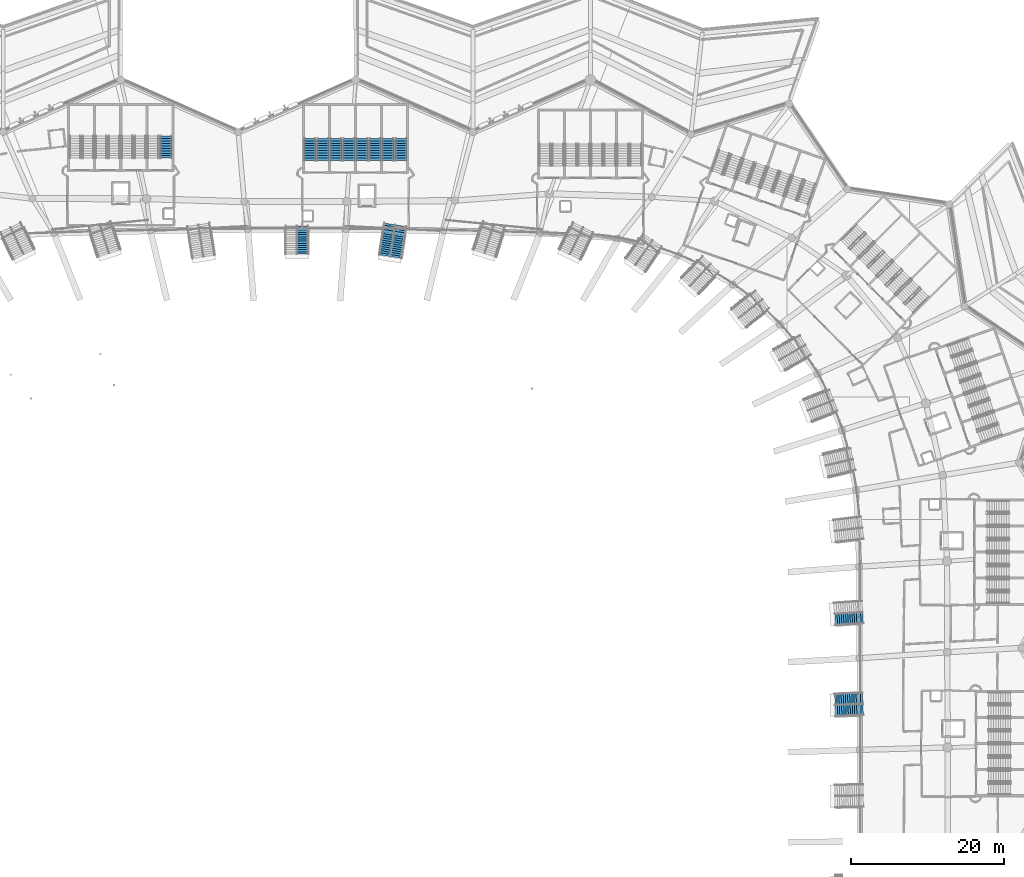
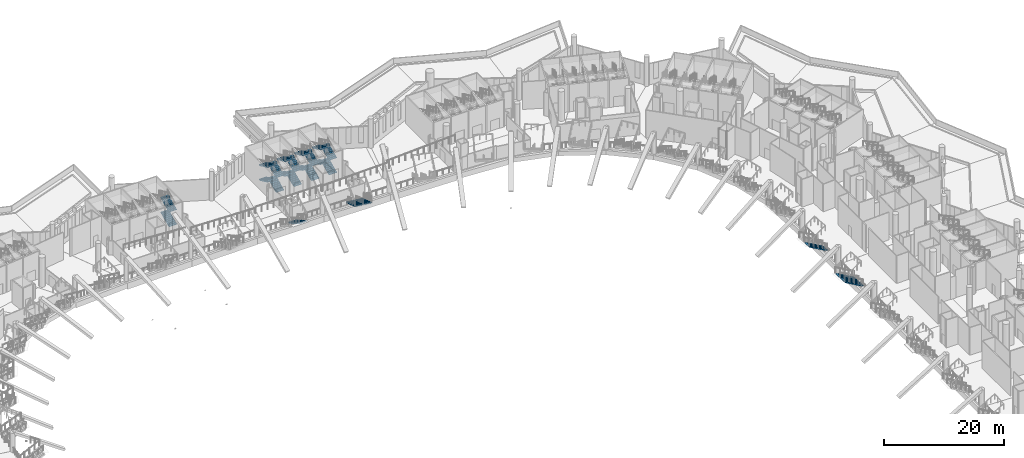
# One storey, part 97 of 173: 24 stair flights, 9 elements without a shape of their own.
"""IFC4 building model written with IfcOpenShell, lengths in metres."""

from ifc_helpers import new_model, si_unit, direction, frame, origin, place, context, subcontext, project, spatial, polyline, outline, extrude, material, type_object, element, aggregate, save


model = new_model("IFC4")

# Units and contexts
model_context = context("Model", 3, precision=1e-05, world=origin(), true_north=direction((0.0, 1.0)))
body_context = subcontext(model_context, "Body", "Model", "MODEL_VIEW")
ifc_project = project(units=[si_unit("LENGTHUNIT", "METRE"), si_unit("AREAUNIT", "SQUARE_METRE"), si_unit("VOLUMEUNIT", "CUBIC_METRE"), si_unit("PLANEANGLEUNIT", "RADIAN"), si_unit("MASSUNIT", "GRAM", prefix="KILO")], contexts=[model_context])

# Site, building, storey
site_placement = place(None, origin())
site = spatial("IfcSite", under=ifc_project, at=site_placement, CompositionType="ELEMENT")
building_placement = place(site_placement, origin())
building = spatial("IfcBuilding", under=site, at=building_placement, Name="Meseta Stadium", CompositionType="ELEMENT")
storey_placement = place(building_placement, frame((0.0, 0.0, 18.0)))
storey = spatial("IfcBuildingStorey", under=building, at=storey_placement, Name="L03", CompositionType="ELEMENT", Elevation=18.0)

# Stair, stair flights
ifc_material_1 = material(Name="Concrete C40/50", Category="concrete")
stair_type_1 = type_object("IfcStairType", Name="Exit stair 4 flights 150 mm risers", PredefinedType="HALF_TURN_STAIR", material=ifc_material_1)
stair_1_placement = place(storey_placement, origin())
stair_1 = element("IfcStair", 1, at=stair_1_placement, inside=storey, type_object=stair_type_1, Name="ST37 L03", PredefinedType="HALF_TURN_STAIR")
ifc_material_2 = material(Name="Concrete C40/50", Category="concrete")
stair_flight_type_1 = type_object("IfcStairFlightType", Name="Exit stair flight 150 mm risers, 4 per storey", PredefinedType="STRAIGHT", material=ifc_material_2)
stair_flight_1_placement = place(storey_placement, frame((13.61669921875, 94.89990234375, 0.0), z_axis=(0.0, 0.0, 1.0), x_axis=(0.0, 1.0, 0.0)))
stair_flight_1 = element("IfcStairFlight", 2, at=stair_flight_1_placement, type_object=stair_flight_type_1, Name="ST37 L03 flight 1", NumberOfRisers=10, NumberOfTreads=9, PredefinedType="STRAIGHT", RiserHeight=0.15, TreadLength=0.32, context=body_context, shape_type="SweptSolid", body=[
    extrude(outline(polyline([(0.0, 0.0), (0.0, 0.14990234375), (0.320068359375, 0.14990234375), (0.320068359375, 0.300048828125), (0.639892578125, 0.300048828125), (0.639892578125, 0.449951171875), (0.9599609375, 0.449951171875), (0.9599609375, 0.60009765625), (1.280029296875, 0.60009765625), (1.280029296875, 0.75), (1.60009765625, 0.75), (1.60009765625, 0.89990234375), (1.919921875, 0.89990234375), (1.919921875, 1.050048828125), (2.239990234375, 1.050048828125), (2.239990234375, 1.199951171875), (2.56005859375, 1.199951171875), (2.56005859375, 1.35009765625), (2.8798828125, 1.35009765625), (2.8798828125, 1.184326171875), (0.353271484375, 0.0), (0.0, 0.0)])), frame((0.0, 0.75, 0.0), z_axis=(0.0, -1.0, 0.0), x_axis=(1.0, 0.0, 0.0)), (0.0, 0.0, 1.0), 1.5),
])
stair_flight_2_placement = place(storey_placement, frame((11.916748046875, 97.780029296875, 1.5), z_axis=(0.0, 0.0, 1.0), x_axis=(0.0, -1.0, 0.0)))
stair_flight_2 = element("IfcStairFlight", 3, at=stair_flight_2_placement, type_object=stair_flight_type_1, Name="ST37 L03 flight 2", NumberOfRisers=10, NumberOfTreads=9, PredefinedType="STRAIGHT", RiserHeight=0.15, TreadLength=0.32, context=body_context, shape_type="SweptSolid", body=[
    extrude(outline(polyline([(0.0, 0.0), (0.0, 0.14990234375), (0.320068359375, 0.14990234375), (0.320068359375, 0.300048828125), (0.639892578125, 0.300048828125), (0.639892578125, 0.449951171875), (0.9599609375, 0.449951171875), (0.9599609375, 0.60009765625), (1.280029296875, 0.60009765625), (1.280029296875, 0.75), (1.60009765625, 0.75), (1.60009765625, 0.89990234375), (1.919921875, 0.89990234375), (1.919921875, 1.050048828125), (2.239990234375, 1.050048828125), (2.239990234375, 1.199951171875), (2.56005859375, 1.199951171875), (2.56005859375, 1.35009765625), (2.8798828125, 1.35009765625), (2.8798828125, 1.184326171875), (0.353271484375, 0.0), (0.0, 0.0)])), frame((0.0, 0.75, 0.0), z_axis=(0.0, -1.0, 0.0), x_axis=(1.0, 0.0, 0.0)), (0.0, 0.0, 1.0), 1.5),
])
stair_flight_3_placement = place(storey_placement, frame((13.61669921875, 94.89990234375, 3.0), z_axis=(0.0, 0.0, 1.0), x_axis=(0.0, 1.0, 0.0)))
stair_flight_3 = element("IfcStairFlight", 4, at=stair_flight_3_placement, type_object=stair_flight_type_1, Name="ST37 L03 flight 3", NumberOfRisers=10, NumberOfTreads=9, PredefinedType="STRAIGHT", RiserHeight=0.15, TreadLength=0.32, context=body_context, shape_type="SweptSolid", body=[
    extrude(outline(polyline([(0.0, 0.0), (0.0, 0.14990234375), (0.320068359375, 0.14990234375), (0.320068359375, 0.300048828125), (0.639892578125, 0.300048828125), (0.639892578125, 0.449951171875), (0.9599609375, 0.449951171875), (0.9599609375, 0.60009765625), (1.280029296875, 0.60009765625), (1.280029296875, 0.75), (1.60009765625, 0.75), (1.60009765625, 0.89990234375), (1.919921875, 0.89990234375), (1.919921875, 1.050048828125), (2.239990234375, 1.050048828125), (2.239990234375, 1.199951171875), (2.56005859375, 1.199951171875), (2.56005859375, 1.35009765625), (2.8798828125, 1.35009765625), (2.8798828125, 1.184326171875), (0.353271484375, 0.0), (0.0, 0.0)])), frame((0.0, 0.75, 0.0), z_axis=(0.0, -1.0, 0.0), x_axis=(1.0, 0.0, 0.0)), (0.0, 0.0, 1.0), 1.5),
])
stair_flight_4_placement = place(storey_placement, frame((11.916748046875, 97.780029296875, 4.5), z_axis=(0.0, 0.0, 1.0), x_axis=(0.0, -1.0, 0.0)))
stair_flight_4 = element("IfcStairFlight", 5, at=stair_flight_4_placement, type_object=stair_flight_type_1, Name="ST37 L03 flight 4", NumberOfRisers=10, NumberOfTreads=9, PredefinedType="STRAIGHT", RiserHeight=0.15, TreadLength=0.32, context=body_context, shape_type="SweptSolid", body=[
    extrude(outline(polyline([(0.0, 0.0), (0.0, 0.14990234375), (0.320068359375, 0.14990234375), (0.320068359375, 0.300048828125), (0.639892578125, 0.300048828125), (0.639892578125, 0.449951171875), (0.9599609375, 0.449951171875), (0.9599609375, 0.60009765625), (1.280029296875, 0.60009765625), (1.280029296875, 0.75), (1.60009765625, 0.75), (1.60009765625, 0.89990234375), (1.919921875, 0.89990234375), (1.919921875, 1.050048828125), (2.239990234375, 1.050048828125), (2.239990234375, 1.199951171875), (2.56005859375, 1.199951171875), (2.56005859375, 1.35009765625), (2.8798828125, 1.35009765625), (2.8798828125, 1.184326171875), (0.353271484375, 0.0), (0.0, 0.0)])), frame((0.0, 0.75, 0.0), z_axis=(0.0, -1.0, 0.0), x_axis=(1.0, 0.0, 0.0)), (0.0, 0.0, 1.0), 1.5),
])
aggregate(stair_1, [stair_flight_1, stair_flight_2, stair_flight_3, stair_flight_4])

stair_2_placement = place(storey_placement, origin())
stair_2 = element("IfcStair", 6, at=stair_2_placement, inside=storey, type_object=stair_type_1, Name="ST38 L03", PredefinedType="HALF_TURN_STAIR")
stair_flight_5_placement = place(storey_placement, frame((10.216552734375, 94.89990234375, 0.0), z_axis=(0.0, 0.0, 1.0), x_axis=(0.0, 1.0, 0.0)))
stair_flight_5 = element("IfcStairFlight", 7, at=stair_flight_5_placement, type_object=stair_flight_type_1, Name="ST38 L03 flight 1", NumberOfRisers=10, NumberOfTreads=9, PredefinedType="STRAIGHT", RiserHeight=0.15, TreadLength=0.32, context=body_context, shape_type="SweptSolid", body=[
    extrude(outline(polyline([(0.0, 0.0), (0.0, 0.14990234375), (0.320068359375, 0.14990234375), (0.320068359375, 0.300048828125), (0.639892578125, 0.300048828125), (0.639892578125, 0.449951171875), (0.9599609375, 0.449951171875), (0.9599609375, 0.60009765625), (1.280029296875, 0.60009765625), (1.280029296875, 0.75), (1.60009765625, 0.75), (1.60009765625, 0.89990234375), (1.919921875, 0.89990234375), (1.919921875, 1.050048828125), (2.239990234375, 1.050048828125), (2.239990234375, 1.199951171875), (2.56005859375, 1.199951171875), (2.56005859375, 1.35009765625), (2.8798828125, 1.35009765625), (2.8798828125, 1.184326171875), (0.353271484375, 0.0), (0.0, 0.0)])), frame((0.0, 0.75, 0.0), z_axis=(0.0, -1.0, 0.0), x_axis=(1.0, 0.0, 0.0)), (0.0, 0.0, 1.0), 1.5),
])
stair_flight_6_placement = place(storey_placement, frame((8.5166015625, 97.780029296875, 1.5), z_axis=(0.0, 0.0, 1.0), x_axis=(0.0, -1.0, 0.0)))
stair_flight_6 = element("IfcStairFlight", 8, at=stair_flight_6_placement, type_object=stair_flight_type_1, Name="ST38 L03 flight 2", NumberOfRisers=10, NumberOfTreads=9, PredefinedType="STRAIGHT", RiserHeight=0.15, TreadLength=0.32, context=body_context, shape_type="SweptSolid", body=[
    extrude(outline(polyline([(0.0, 0.0), (0.0, 0.14990234375), (0.320068359375, 0.14990234375), (0.320068359375, 0.300048828125), (0.639892578125, 0.300048828125), (0.639892578125, 0.449951171875), (0.9599609375, 0.449951171875), (0.9599609375, 0.60009765625), (1.280029296875, 0.60009765625), (1.280029296875, 0.75), (1.60009765625, 0.75), (1.60009765625, 0.89990234375), (1.919921875, 0.89990234375), (1.919921875, 1.050048828125), (2.239990234375, 1.050048828125), (2.239990234375, 1.199951171875), (2.56005859375, 1.199951171875), (2.56005859375, 1.35009765625), (2.8798828125, 1.35009765625), (2.8798828125, 1.184326171875), (0.353271484375, 0.0), (0.0, 0.0)])), frame((0.0, 0.75, 0.0), z_axis=(0.0, -1.0, 0.0), x_axis=(1.0, 0.0, 0.0)), (0.0, 0.0, 1.0), 1.5),
])
stair_flight_7_placement = place(storey_placement, frame((10.216552734375, 94.89990234375, 3.0), z_axis=(0.0, 0.0, 1.0), x_axis=(0.0, 1.0, 0.0)))
stair_flight_7 = element("IfcStairFlight", 9, at=stair_flight_7_placement, type_object=stair_flight_type_1, Name="ST38 L03 flight 3", NumberOfRisers=10, NumberOfTreads=9, PredefinedType="STRAIGHT", RiserHeight=0.15, TreadLength=0.32, context=body_context, shape_type="SweptSolid", body=[
    extrude(outline(polyline([(0.0, 0.0), (0.0, 0.14990234375), (0.320068359375, 0.14990234375), (0.320068359375, 0.300048828125), (0.639892578125, 0.300048828125), (0.639892578125, 0.449951171875), (0.9599609375, 0.449951171875), (0.9599609375, 0.60009765625), (1.280029296875, 0.60009765625), (1.280029296875, 0.75), (1.60009765625, 0.75), (1.60009765625, 0.89990234375), (1.919921875, 0.89990234375), (1.919921875, 1.050048828125), (2.239990234375, 1.050048828125), (2.239990234375, 1.199951171875), (2.56005859375, 1.199951171875), (2.56005859375, 1.35009765625), (2.8798828125, 1.35009765625), (2.8798828125, 1.184326171875), (0.353271484375, 0.0), (0.0, 0.0)])), frame((0.0, 0.75, 0.0), z_axis=(0.0, -1.0, 0.0), x_axis=(1.0, 0.0, 0.0)), (0.0, 0.0, 1.0), 1.5),
])
stair_flight_8_placement = place(storey_placement, frame((8.5166015625, 97.780029296875, 4.5), z_axis=(0.0, 0.0, 1.0), x_axis=(0.0, -1.0, 0.0)))
stair_flight_8 = element("IfcStairFlight", 10, at=stair_flight_8_placement, type_object=stair_flight_type_1, Name="ST38 L03 flight 4", NumberOfRisers=10, NumberOfTreads=9, PredefinedType="STRAIGHT", RiserHeight=0.15, TreadLength=0.32, context=body_context, shape_type="SweptSolid", body=[
    extrude(outline(polyline([(0.0, 0.0), (0.0, 0.14990234375), (0.320068359375, 0.14990234375), (0.320068359375, 0.300048828125), (0.639892578125, 0.300048828125), (0.639892578125, 0.449951171875), (0.9599609375, 0.449951171875), (0.9599609375, 0.60009765625), (1.280029296875, 0.60009765625), (1.280029296875, 0.75), (1.60009765625, 0.75), (1.60009765625, 0.89990234375), (1.919921875, 0.89990234375), (1.919921875, 1.050048828125), (2.239990234375, 1.050048828125), (2.239990234375, 1.199951171875), (2.56005859375, 1.199951171875), (2.56005859375, 1.35009765625), (2.8798828125, 1.35009765625), (2.8798828125, 1.184326171875), (0.353271484375, 0.0), (0.0, 0.0)])), frame((0.0, 0.75, 0.0), z_axis=(0.0, -1.0, 0.0), x_axis=(1.0, 0.0, 0.0)), (0.0, 0.0, 1.0), 1.5),
])
aggregate(stair_2, [stair_flight_5, stair_flight_6, stair_flight_7, stair_flight_8])

stair_3_placement = place(storey_placement, origin())
stair_3 = element("IfcStair", 11, at=stair_3_placement, inside=storey, type_object=stair_type_1, Name="ST39 L03", PredefinedType="HALF_TURN_STAIR")
stair_flight_9_placement = place(storey_placement, frame((6.816650390625, 94.89990234375, 0.0), z_axis=(0.0, 0.0, 1.0), x_axis=(0.0, 1.0, 0.0)))
stair_flight_9 = element("IfcStairFlight", 12, at=stair_flight_9_placement, type_object=stair_flight_type_1, Name="ST39 L03 flight 1", NumberOfRisers=10, NumberOfTreads=9, PredefinedType="STRAIGHT", RiserHeight=0.15, TreadLength=0.32, context=body_context, shape_type="SweptSolid", body=[
    extrude(outline(polyline([(0.0, 0.0), (0.0, 0.14990234375), (0.320068359375, 0.14990234375), (0.320068359375, 0.300048828125), (0.639892578125, 0.300048828125), (0.639892578125, 0.449951171875), (0.9599609375, 0.449951171875), (0.9599609375, 0.60009765625), (1.280029296875, 0.60009765625), (1.280029296875, 0.75), (1.60009765625, 0.75), (1.60009765625, 0.89990234375), (1.919921875, 0.89990234375), (1.919921875, 1.050048828125), (2.239990234375, 1.050048828125), (2.239990234375, 1.199951171875), (2.56005859375, 1.199951171875), (2.56005859375, 1.35009765625), (2.8798828125, 1.35009765625), (2.8798828125, 1.184326171875), (0.353271484375, 0.0), (0.0, 0.0)])), frame((0.0, 0.75, 0.0), z_axis=(0.0, -1.0, 0.0), x_axis=(1.0, 0.0, 0.0)), (0.0, 0.0, 1.0), 1.5),
])
stair_flight_10_placement = place(storey_placement, frame((5.11669921875, 97.780029296875, 1.5), z_axis=(0.0, 0.0, 1.0), x_axis=(0.0, -1.0, 0.0)))
stair_flight_10 = element("IfcStairFlight", 13, at=stair_flight_10_placement, type_object=stair_flight_type_1, Name="ST39 L03 flight 2", NumberOfRisers=10, NumberOfTreads=9, PredefinedType="STRAIGHT", RiserHeight=0.15, TreadLength=0.32, context=body_context, shape_type="SweptSolid", body=[
    extrude(outline(polyline([(0.0, 0.0), (0.0, 0.14990234375), (0.320068359375, 0.14990234375), (0.320068359375, 0.300048828125), (0.639892578125, 0.300048828125), (0.639892578125, 0.449951171875), (0.9599609375, 0.449951171875), (0.9599609375, 0.60009765625), (1.280029296875, 0.60009765625), (1.280029296875, 0.75), (1.60009765625, 0.75), (1.60009765625, 0.89990234375), (1.919921875, 0.89990234375), (1.919921875, 1.050048828125), (2.239990234375, 1.050048828125), (2.239990234375, 1.199951171875), (2.56005859375, 1.199951171875), (2.56005859375, 1.35009765625), (2.8798828125, 1.35009765625), (2.8798828125, 1.184326171875), (0.353271484375, 0.0), (0.0, 0.0)])), frame((0.0, 0.75, 0.0), z_axis=(0.0, -1.0, 0.0), x_axis=(1.0, 0.0, 0.0)), (0.0, 0.0, 1.0), 1.5),
])
stair_flight_11_placement = place(storey_placement, frame((6.816650390625, 94.89990234375, 3.0), z_axis=(0.0, 0.0, 1.0), x_axis=(0.0, 1.0, 0.0)))
stair_flight_11 = element("IfcStairFlight", 14, at=stair_flight_11_placement, type_object=stair_flight_type_1, Name="ST39 L03 flight 3", NumberOfRisers=10, NumberOfTreads=9, PredefinedType="STRAIGHT", RiserHeight=0.15, TreadLength=0.32, context=body_context, shape_type="SweptSolid", body=[
    extrude(outline(polyline([(0.0, 0.0), (0.0, 0.14990234375), (0.320068359375, 0.14990234375), (0.320068359375, 0.300048828125), (0.639892578125, 0.300048828125), (0.639892578125, 0.449951171875), (0.9599609375, 0.449951171875), (0.9599609375, 0.60009765625), (1.280029296875, 0.60009765625), (1.280029296875, 0.75), (1.60009765625, 0.75), (1.60009765625, 0.89990234375), (1.919921875, 0.89990234375), (1.919921875, 1.050048828125), (2.239990234375, 1.050048828125), (2.239990234375, 1.199951171875), (2.56005859375, 1.199951171875), (2.56005859375, 1.35009765625), (2.8798828125, 1.35009765625), (2.8798828125, 1.184326171875), (0.353271484375, 0.0), (0.0, 0.0)])), frame((0.0, 0.75, 0.0), z_axis=(0.0, -1.0, 0.0), x_axis=(1.0, 0.0, 0.0)), (0.0, 0.0, 1.0), 1.5),
])
stair_flight_12_placement = place(storey_placement, frame((5.11669921875, 97.780029296875, 4.5), z_axis=(0.0, 0.0, 1.0), x_axis=(0.0, -1.0, 0.0)))
stair_flight_12 = element("IfcStairFlight", 15, at=stair_flight_12_placement, type_object=stair_flight_type_1, Name="ST39 L03 flight 4", NumberOfRisers=10, NumberOfTreads=9, PredefinedType="STRAIGHT", RiserHeight=0.15, TreadLength=0.32, context=body_context, shape_type="SweptSolid", body=[
    extrude(outline(polyline([(0.0, 0.0), (0.0, 0.14990234375), (0.320068359375, 0.14990234375), (0.320068359375, 0.300048828125), (0.639892578125, 0.300048828125), (0.639892578125, 0.449951171875), (0.9599609375, 0.449951171875), (0.9599609375, 0.60009765625), (1.280029296875, 0.60009765625), (1.280029296875, 0.75), (1.60009765625, 0.75), (1.60009765625, 0.89990234375), (1.919921875, 0.89990234375), (1.919921875, 1.050048828125), (2.239990234375, 1.050048828125), (2.239990234375, 1.199951171875), (2.56005859375, 1.199951171875), (2.56005859375, 1.35009765625), (2.8798828125, 1.35009765625), (2.8798828125, 1.184326171875), (0.353271484375, 0.0), (0.0, 0.0)])), frame((0.0, 0.75, 0.0), z_axis=(0.0, -1.0, 0.0), x_axis=(1.0, 0.0, 0.0)), (0.0, 0.0, 1.0), 1.5),
])
aggregate(stair_3, [stair_flight_9, stair_flight_10, stair_flight_11, stair_flight_12])

stair_4_placement = place(storey_placement, origin())
stair_4 = element("IfcStair", 16, at=stair_4_placement, inside=storey, type_object=stair_type_1, Name="ST40 L03", PredefinedType="HALF_TURN_STAIR")
stair_flight_13_placement = place(storey_placement, frame((3.416748046875, 94.89990234375, 0.0), z_axis=(0.0, 0.0, 1.0), x_axis=(0.0, 1.0, 0.0)))
stair_flight_13 = element("IfcStairFlight", 17, at=stair_flight_13_placement, type_object=stair_flight_type_1, Name="ST40 L03 flight 1", NumberOfRisers=10, NumberOfTreads=9, PredefinedType="STRAIGHT", RiserHeight=0.15, TreadLength=0.32, context=body_context, shape_type="SweptSolid", body=[
    extrude(outline(polyline([(0.0, 0.0), (0.0, 0.14990234375), (0.320068359375, 0.14990234375), (0.320068359375, 0.300048828125), (0.639892578125, 0.300048828125), (0.639892578125, 0.449951171875), (0.9599609375, 0.449951171875), (0.9599609375, 0.60009765625), (1.280029296875, 0.60009765625), (1.280029296875, 0.75), (1.60009765625, 0.75), (1.60009765625, 0.89990234375), (1.919921875, 0.89990234375), (1.919921875, 1.050048828125), (2.239990234375, 1.050048828125), (2.239990234375, 1.199951171875), (2.56005859375, 1.199951171875), (2.56005859375, 1.35009765625), (2.8798828125, 1.35009765625), (2.8798828125, 1.184326171875), (0.353271484375, 0.0), (0.0, 0.0)])), frame((0.0, 0.75, 0.0), z_axis=(0.0, -1.0, 0.0), x_axis=(1.0, 0.0, 0.0)), (0.0, 0.0, 1.0), 1.5),
])
stair_flight_14_placement = place(storey_placement, frame((1.716552734375, 97.780029296875, 1.5), z_axis=(0.0, 0.0, 1.0), x_axis=(0.0, -1.0, 0.0)))
stair_flight_14 = element("IfcStairFlight", 18, at=stair_flight_14_placement, type_object=stair_flight_type_1, Name="ST40 L03 flight 2", NumberOfRisers=10, NumberOfTreads=9, PredefinedType="STRAIGHT", RiserHeight=0.15, TreadLength=0.32, context=body_context, shape_type="SweptSolid", body=[
    extrude(outline(polyline([(0.0, 0.0), (0.0, 0.14990234375), (0.320068359375, 0.14990234375), (0.320068359375, 0.300048828125), (0.639892578125, 0.300048828125), (0.639892578125, 0.449951171875), (0.9599609375, 0.449951171875), (0.9599609375, 0.60009765625), (1.280029296875, 0.60009765625), (1.280029296875, 0.75), (1.60009765625, 0.75), (1.60009765625, 0.89990234375), (1.919921875, 0.89990234375), (1.919921875, 1.050048828125), (2.239990234375, 1.050048828125), (2.239990234375, 1.199951171875), (2.56005859375, 1.199951171875), (2.56005859375, 1.35009765625), (2.8798828125, 1.35009765625), (2.8798828125, 1.184326171875), (0.353271484375, 0.0), (0.0, 0.0)])), frame((0.0, 0.75, 0.0), z_axis=(0.0, -1.0, 0.0), x_axis=(1.0, 0.0, 0.0)), (0.0, 0.0, 1.0), 1.5),
])
stair_flight_15_placement = place(storey_placement, frame((3.416748046875, 94.89990234375, 3.0), z_axis=(0.0, 0.0, 1.0), x_axis=(0.0, 1.0, 0.0)))
stair_flight_15 = element("IfcStairFlight", 19, at=stair_flight_15_placement, type_object=stair_flight_type_1, Name="ST40 L03 flight 3", NumberOfRisers=10, NumberOfTreads=9, PredefinedType="STRAIGHT", RiserHeight=0.15, TreadLength=0.32, context=body_context, shape_type="SweptSolid", body=[
    extrude(outline(polyline([(0.0, 0.0), (0.0, 0.14990234375), (0.320068359375, 0.14990234375), (0.320068359375, 0.300048828125), (0.639892578125, 0.300048828125), (0.639892578125, 0.449951171875), (0.9599609375, 0.449951171875), (0.9599609375, 0.60009765625), (1.280029296875, 0.60009765625), (1.280029296875, 0.75), (1.60009765625, 0.75), (1.60009765625, 0.89990234375), (1.919921875, 0.89990234375), (1.919921875, 1.050048828125), (2.239990234375, 1.050048828125), (2.239990234375, 1.199951171875), (2.56005859375, 1.199951171875), (2.56005859375, 1.35009765625), (2.8798828125, 1.35009765625), (2.8798828125, 1.184326171875), (0.353271484375, 0.0), (0.0, 0.0)])), frame((0.0, 0.75, 0.0), z_axis=(0.0, -1.0, 0.0), x_axis=(1.0, 0.0, 0.0)), (0.0, 0.0, 1.0), 1.5),
])
stair_flight_16_placement = place(storey_placement, frame((1.716552734375, 97.780029296875, 4.5), z_axis=(0.0, 0.0, 1.0), x_axis=(0.0, -1.0, 0.0)))
stair_flight_16 = element("IfcStairFlight", 20, at=stair_flight_16_placement, type_object=stair_flight_type_1, Name="ST40 L03 flight 4", NumberOfRisers=10, NumberOfTreads=9, PredefinedType="STRAIGHT", RiserHeight=0.15, TreadLength=0.32, context=body_context, shape_type="SweptSolid", body=[
    extrude(outline(polyline([(0.0, 0.0), (0.0, 0.14990234375), (0.320068359375, 0.14990234375), (0.320068359375, 0.300048828125), (0.639892578125, 0.300048828125), (0.639892578125, 0.449951171875), (0.9599609375, 0.449951171875), (0.9599609375, 0.60009765625), (1.280029296875, 0.60009765625), (1.280029296875, 0.75), (1.60009765625, 0.75), (1.60009765625, 0.89990234375), (1.919921875, 0.89990234375), (1.919921875, 1.050048828125), (2.239990234375, 1.050048828125), (2.239990234375, 1.199951171875), (2.56005859375, 1.199951171875), (2.56005859375, 1.35009765625), (2.8798828125, 1.35009765625), (2.8798828125, 1.184326171875), (0.353271484375, 0.0), (0.0, 0.0)])), frame((0.0, 0.75, 0.0), z_axis=(0.0, -1.0, 0.0), x_axis=(1.0, 0.0, 0.0)), (0.0, 0.0, 1.0), 1.5),
])
aggregate(stair_4, [stair_flight_13, stair_flight_14, stair_flight_15, stair_flight_16])

stair_5_placement = place(storey_placement, origin())
stair_5 = element("IfcStair", 21, at=stair_5_placement, inside=storey, type_object=stair_type_1, Name="ST41 L03", PredefinedType="HALF_TURN_STAIR")
stair_flight_17_placement = place(storey_placement, frame((-17.050048828125, 95.199951171875, 0.0), z_axis=(0.0, 0.0, 1.0), x_axis=(0.0, 1.0, 0.0)))
stair_flight_17 = element("IfcStairFlight", 22, at=stair_flight_17_placement, type_object=stair_flight_type_1, Name="ST41 L03 flight 1", NumberOfRisers=10, NumberOfTreads=9, PredefinedType="STRAIGHT", RiserHeight=0.15, TreadLength=0.32, context=body_context, shape_type="SweptSolid", body=[
    extrude(outline(polyline([(0.0, 0.0), (0.0, 0.14990234375), (0.320068359375, 0.14990234375), (0.320068359375, 0.300048828125), (0.639892578125, 0.300048828125), (0.639892578125, 0.449951171875), (0.9599609375, 0.449951171875), (0.9599609375, 0.60009765625), (1.280029296875, 0.60009765625), (1.280029296875, 0.75), (1.60009765625, 0.75), (1.60009765625, 0.89990234375), (1.919921875, 0.89990234375), (1.919921875, 1.050048828125), (2.239990234375, 1.050048828125), (2.239990234375, 1.199951171875), (2.56005859375, 1.199951171875), (2.56005859375, 1.35009765625), (2.8798828125, 1.35009765625), (2.8798828125, 1.184326171875), (0.353271484375, 0.0), (0.0, 0.0)])), frame((0.0, 0.75, 0.0), z_axis=(0.0, -1.0, 0.0), x_axis=(1.0, 0.0, 0.0)), (0.0, 0.0, 1.0), 1.5),
])
stair_flight_18_placement = place(storey_placement, frame((-17.050048828125, 95.199951171875, 3.0), z_axis=(0.0, 0.0, 1.0), x_axis=(0.0, 1.0, 0.0)))
stair_flight_18 = element("IfcStairFlight", 23, at=stair_flight_18_placement, type_object=stair_flight_type_1, Name="ST41 L03 flight 3", NumberOfRisers=10, NumberOfTreads=9, PredefinedType="STRAIGHT", RiserHeight=0.15, TreadLength=0.32, context=body_context, shape_type="SweptSolid", body=[
    extrude(outline(polyline([(0.0, 0.0), (0.0, 0.14990234375), (0.320068359375, 0.14990234375), (0.320068359375, 0.300048828125), (0.639892578125, 0.300048828125), (0.639892578125, 0.449951171875), (0.9599609375, 0.449951171875), (0.9599609375, 0.60009765625), (1.280029296875, 0.60009765625), (1.280029296875, 0.75), (1.60009765625, 0.75), (1.60009765625, 0.89990234375), (1.919921875, 0.89990234375), (1.919921875, 1.050048828125), (2.239990234375, 1.050048828125), (2.239990234375, 1.199951171875), (2.56005859375, 1.199951171875), (2.56005859375, 1.35009765625), (2.8798828125, 1.35009765625), (2.8798828125, 1.184326171875), (0.353271484375, 0.0), (0.0, 0.0)])), frame((0.0, 0.75, 0.0), z_axis=(0.0, -1.0, 0.0), x_axis=(1.0, 0.0, 0.0)), (0.0, 0.0, 1.0), 1.5),
])
aggregate(stair_5, [stair_flight_17, stair_flight_18])

ifc_material_3 = material(Name="Concrete C40/50", Category="concrete")
stair_type_2 = type_object("IfcStairType", Name="Vomitory stair 3000", PredefinedType="STRAIGHT_RUN_STAIR", material=ifc_material_3)
stair_6_placement = place(storey_placement, origin())
stair_6 = element("IfcStair", 24, at=stair_6_placement, inside=storey, type_object=stair_type_2, Name="Vomitory V-upper-07", PredefinedType="STRAIGHT_RUN_STAIR")
ifc_material_4 = material(Name="Concrete C40/50", Category="concrete")
stair_flight_type_2 = type_object("IfcStairFlightType", Name="Vomitory stair flight 1450", PredefinedType="STRAIGHT", material=ifc_material_4)
stair_flight_19_placement = place(storey_placement, frame((73.940673828125, 23.1689453125, 0.0), z_axis=(0.0, 0.0, 1.0), x_axis=(-0.999039522965, -0.043818164662, 0.0)))
stair_flight_19 = element("IfcStairFlight", 25, at=stair_flight_19_placement, type_object=stair_flight_type_2, Name="Vomitory V-upper-07 flight 1", NumberOfRisers=14, NumberOfTreads=13, PredefinedType="STRAIGHT", RiserHeight=0.165139, TreadLength=0.28, context=body_context, shape_type="SweptSolid", body=[
    extrude(outline(polyline([(0.0, 0.0), (0.0, 0.1650390625), (0.280029296875, 0.1650390625), (0.280029296875, 0.330322265625), (0.56005859375, 0.330322265625), (0.56005859375, 0.495361328125), (0.840087890625, 0.495361328125), (0.840087890625, 0.66064453125), (1.1201171875, 0.66064453125), (1.1201171875, 0.82568359375), (1.39990234375, 0.82568359375), (1.39990234375, 0.99072265625), (1.679931640625, 0.99072265625), (1.679931640625, 1.156005859375), (1.9599609375, 1.156005859375), (1.9599609375, 1.321044921875), (2.239990234375, 1.321044921875), (2.239990234375, 1.486328125), (2.52001953125, 1.486328125), (2.52001953125, 1.6513671875), (2.800048828125, 1.6513671875), (2.800048828125, 1.816650390625), (3.080078125, 1.816650390625), (3.080078125, 1.981689453125), (3.360107421875, 1.981689453125), (3.360107421875, 2.146728515625), (3.639892578125, 2.146728515625), (3.639892578125, 1.97265625), (0.295166015625, 0.0), (0.0, 0.0)])), frame((0.0, 0.72509765625, 0.0), z_axis=(0.0, -1.0, 0.0), x_axis=(1.0, 0.0, 0.0)), (0.0, 0.0, 1.0), 1.449951171875),
])
stair_flight_20_placement = place(storey_placement, frame((73.872802734375, 24.71728515625, 0.0), z_axis=(0.0, 0.0, 1.0), x_axis=(-0.999039522965, -0.043818164662, 0.0)))
stair_flight_20 = element("IfcStairFlight", 26, at=stair_flight_20_placement, type_object=stair_flight_type_2, Name="Vomitory V-upper-07 flight 2", NumberOfRisers=14, NumberOfTreads=13, PredefinedType="STRAIGHT", RiserHeight=0.165139, TreadLength=0.28, context=body_context, shape_type="SweptSolid", body=[
    extrude(outline(polyline([(0.0, 0.0), (0.0, 0.1650390625), (0.280029296875, 0.1650390625), (0.280029296875, 0.330322265625), (0.56005859375, 0.330322265625), (0.56005859375, 0.495361328125), (0.840087890625, 0.495361328125), (0.840087890625, 0.66064453125), (1.1201171875, 0.66064453125), (1.1201171875, 0.82568359375), (1.39990234375, 0.82568359375), (1.39990234375, 0.99072265625), (1.679931640625, 0.99072265625), (1.679931640625, 1.156005859375), (1.9599609375, 1.156005859375), (1.9599609375, 1.321044921875), (2.239990234375, 1.321044921875), (2.239990234375, 1.486328125), (2.52001953125, 1.486328125), (2.52001953125, 1.6513671875), (2.800048828125, 1.6513671875), (2.800048828125, 1.816650390625), (3.080078125, 1.816650390625), (3.080078125, 1.981689453125), (3.360107421875, 1.981689453125), (3.360107421875, 2.146728515625), (3.639892578125, 2.146728515625), (3.639892578125, 1.97265625), (0.295166015625, 0.0), (0.0, 0.0)])), frame((0.0, 0.72509765625, 0.0), z_axis=(0.0, -1.0, 0.0), x_axis=(1.0, 0.0, 0.0)), (0.0, 0.0, 1.0), 1.449951171875),
])
aggregate(stair_6, [stair_flight_19, stair_flight_20])

# Stair, stair flight
stair_7_placement = place(storey_placement, origin())
stair_7 = element("IfcStair", 27, at=stair_7_placement, inside=storey, type_object=stair_type_2, Name="Vomitory V-upper-08", PredefinedType="STRAIGHT_RUN_STAIR")
stair_flight_21_placement = place(storey_placement, frame((73.918212890625, 35.138916015625, 0.0), z_axis=(0.0, 0.0, 1.0), x_axis=(-0.997842912451, -0.065646950207, 0.0)))
stair_flight_21 = element("IfcStairFlight", 28, at=stair_flight_21_placement, type_object=stair_flight_type_2, Name="Vomitory V-upper-08 flight 1", NumberOfRisers=14, NumberOfTreads=13, PredefinedType="STRAIGHT", RiserHeight=0.165139, TreadLength=0.28, context=body_context, shape_type="SweptSolid", body=[
    extrude(outline(polyline([(0.0, 0.0), (0.0, 0.1650390625), (0.280029296875, 0.1650390625), (0.280029296875, 0.330322265625), (0.56005859375, 0.330322265625), (0.56005859375, 0.495361328125), (0.840087890625, 0.495361328125), (0.840087890625, 0.66064453125), (1.1201171875, 0.66064453125), (1.1201171875, 0.82568359375), (1.39990234375, 0.82568359375), (1.39990234375, 0.99072265625), (1.679931640625, 0.99072265625), (1.679931640625, 1.156005859375), (1.9599609375, 1.156005859375), (1.9599609375, 1.321044921875), (2.239990234375, 1.321044921875), (2.239990234375, 1.486328125), (2.52001953125, 1.486328125), (2.52001953125, 1.6513671875), (2.800048828125, 1.6513671875), (2.800048828125, 1.816650390625), (3.080078125, 1.816650390625), (3.080078125, 1.981689453125), (3.360107421875, 1.981689453125), (3.360107421875, 2.146728515625), (3.639892578125, 2.146728515625), (3.639892578125, 1.97265625), (0.295166015625, 0.0), (0.0, 0.0)])), frame((0.0, 0.72509765625, 0.0), z_axis=(0.0, -1.0, 0.0), x_axis=(1.0, 0.0, 0.0)), (0.0, 0.0, 1.0), 1.449951171875),
])
aggregate(stair_7, [stair_flight_21])

# Stair, stair flights
stair_8_placement = place(storey_placement, origin())
stair_8 = element("IfcStair", 29, at=stair_8_placement, inside=storey, type_object=stair_type_2, Name="Vomitory V-upper-18", PredefinedType="STRAIGHT_RUN_STAIR")
stair_flight_22_placement = place(storey_placement, frame((13.615478515625, 86.369873046875, 0.0), z_axis=(0.0, 0.0, 1.0), x_axis=(-0.15676715754, -0.987635589839, 0.0)))
stair_flight_22 = element("IfcStairFlight", 30, at=stair_flight_22_placement, type_object=stair_flight_type_2, Name="Vomitory V-upper-18 flight 1", NumberOfRisers=16, NumberOfTreads=15, PredefinedType="STRAIGHT", RiserHeight=0.13111, TreadLength=0.28, context=body_context, shape_type="SweptSolid", body=[
    extrude(outline(polyline([(0.0, 0.0), (0.0, 0.131103515625), (0.280029296875, 0.131103515625), (0.280029296875, 0.26220703125), (0.56005859375, 0.26220703125), (0.56005859375, 0.393310546875), (0.840087890625, 0.393310546875), (0.840087890625, 0.5244140625), (1.1201171875, 0.5244140625), (1.1201171875, 0.655517578125), (1.39990234375, 0.655517578125), (1.39990234375, 0.78662109375), (1.679931640625, 0.78662109375), (1.679931640625, 0.917724609375), (1.9599609375, 0.917724609375), (1.9599609375, 1.048828125), (2.239990234375, 1.048828125), (2.239990234375, 1.179931640625), (2.52001953125, 1.179931640625), (2.52001953125, 1.31103515625), (2.800048828125, 1.31103515625), (2.800048828125, 1.442138671875), (3.080078125, 1.442138671875), (3.080078125, 1.5732421875), (3.360107421875, 1.5732421875), (3.360107421875, 1.704345703125), (3.639892578125, 1.704345703125), (3.639892578125, 1.83544921875), (3.919921875, 1.83544921875), (3.919921875, 1.966552734375), (4.199951171875, 1.966552734375), (4.199951171875, 1.801025390625), (0.353515625, 0.0), (0.0, 0.0)])), frame((0.0, 0.72509765625, 0.0), z_axis=(0.0, -1.0, 0.0), x_axis=(1.0, 0.0, 0.0)), (0.0, 0.0, 1.0), 1.449951171875),
])
stair_flight_23_placement = place(storey_placement, frame((12.084716796875, 86.61279296875, 0.0), z_axis=(0.0, 0.0, 1.0), x_axis=(-0.15676715754, -0.987635589839, 0.0)))
stair_flight_23 = element("IfcStairFlight", 31, at=stair_flight_23_placement, type_object=stair_flight_type_2, Name="Vomitory V-upper-18 flight 2", NumberOfRisers=16, NumberOfTreads=15, PredefinedType="STRAIGHT", RiserHeight=0.13111, TreadLength=0.28, context=body_context, shape_type="SweptSolid", body=[
    extrude(outline(polyline([(0.0, 0.0), (0.0, 0.131103515625), (0.280029296875, 0.131103515625), (0.280029296875, 0.26220703125), (0.56005859375, 0.26220703125), (0.56005859375, 0.393310546875), (0.840087890625, 0.393310546875), (0.840087890625, 0.5244140625), (1.1201171875, 0.5244140625), (1.1201171875, 0.655517578125), (1.39990234375, 0.655517578125), (1.39990234375, 0.78662109375), (1.679931640625, 0.78662109375), (1.679931640625, 0.917724609375), (1.9599609375, 0.917724609375), (1.9599609375, 1.048828125), (2.239990234375, 1.048828125), (2.239990234375, 1.179931640625), (2.52001953125, 1.179931640625), (2.52001953125, 1.31103515625), (2.800048828125, 1.31103515625), (2.800048828125, 1.442138671875), (3.080078125, 1.442138671875), (3.080078125, 1.5732421875), (3.360107421875, 1.5732421875), (3.360107421875, 1.704345703125), (3.639892578125, 1.704345703125), (3.639892578125, 1.83544921875), (3.919921875, 1.83544921875), (3.919921875, 1.966552734375), (4.199951171875, 1.966552734375), (4.199951171875, 1.801025390625), (0.353515625, 0.0), (0.0, 0.0)])), frame((0.0, 0.72509765625, 0.0), z_axis=(0.0, -1.0, 0.0), x_axis=(1.0, 0.0, 0.0)), (0.0, 0.0, 1.0), 1.449951171875),
])
aggregate(stair_8, [stair_flight_22, stair_flight_23])

# Stair, stair flight
stair_9_placement = place(storey_placement, origin())
stair_9 = element("IfcStair", 32, at=stair_9_placement, inside=storey, type_object=stair_type_2, Name="Vomitory V-upper-19", PredefinedType="STRAIGHT_RUN_STAIR")
stair_flight_24_placement = place(storey_placement, frame((0.77490234375, 86.326904296875, 0.0), z_axis=(0.0, 0.0, 1.0), x_axis=(0.0, -1.0, 0.0)))
stair_flight_24 = element("IfcStairFlight", 33, at=stair_flight_24_placement, type_object=stair_flight_type_2, Name="Vomitory V-upper-19 flight 1", NumberOfRisers=14, NumberOfTreads=13, PredefinedType="STRAIGHT", RiserHeight=0.163093, TreadLength=0.28, context=body_context, shape_type="SweptSolid", body=[
    extrude(outline(polyline([(0.0, 0.0), (0.0, 0.1630859375), (0.280029296875, 0.1630859375), (0.280029296875, 0.326171875), (0.56005859375, 0.326171875), (0.56005859375, 0.4892578125), (0.840087890625, 0.4892578125), (0.840087890625, 0.65234375), (1.1201171875, 0.65234375), (1.1201171875, 0.8154296875), (1.39990234375, 0.8154296875), (1.39990234375, 0.978515625), (1.679931640625, 0.978515625), (1.679931640625, 1.1416015625), (1.9599609375, 1.1416015625), (1.9599609375, 1.3046875), (2.239990234375, 1.3046875), (2.239990234375, 1.4677734375), (2.52001953125, 1.4677734375), (2.52001953125, 1.630859375), (2.800048828125, 1.630859375), (2.800048828125, 1.7939453125), (3.080078125, 1.7939453125), (3.080078125, 1.95703125), (3.360107421875, 1.95703125), (3.360107421875, 2.1201171875), (3.639892578125, 2.1201171875), (3.639892578125, 1.94677734375), (0.2978515625, 0.0), (0.0, 0.0)])), frame((0.0, 0.72509765625, 0.0), z_axis=(0.0, -1.0, 0.0), x_axis=(1.0, 0.0, 0.0)), (0.0, 0.0, 1.0), 1.449951171875),
])
aggregate(stair_9, [stair_flight_24])

save(model, "model.ifc")
